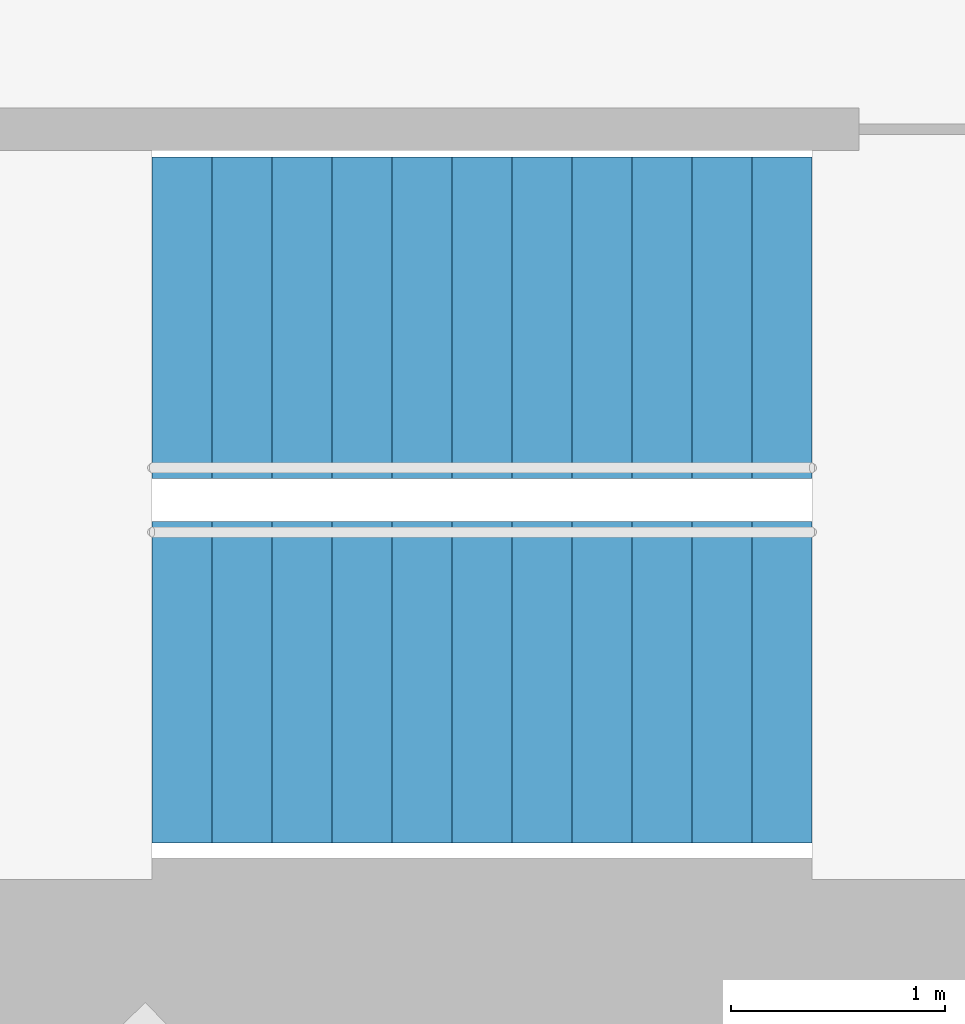
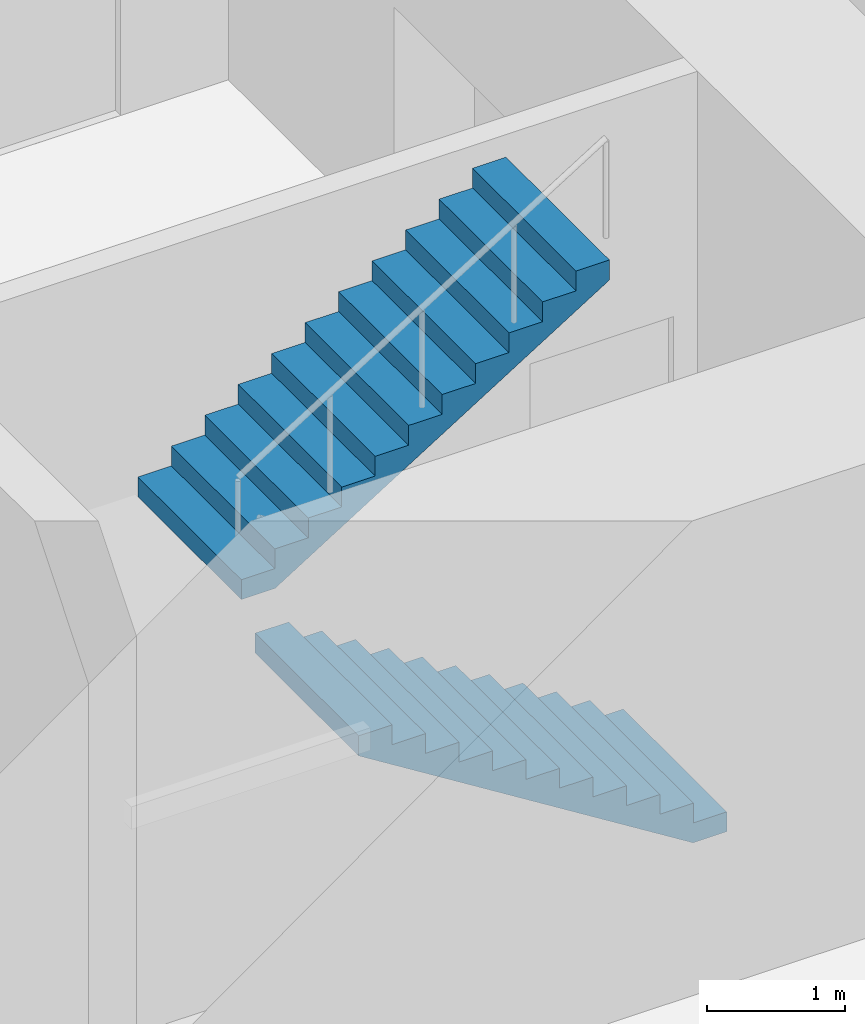
# One storey, part 17 of 18: 2 stair flights, 1 element without a shape of its own.
"""IFC4 building model written with IfcOpenShell, lengths in metres."""

from ifc_helpers import new_model, si_unit, direction, frame, origin, place, context, subcontext, project, spatial, triangles, material, type_object, element, aggregate, save


model = new_model("IFC4")

# Units and contexts
model_context = context("Model", 3, precision=1e-05, world=origin(), true_north=direction((0.0, 1.0)))
body_context = subcontext(model_context, "Body", "Model", "MODEL_VIEW")
ifc_project = project(units=[si_unit("LENGTHUNIT", "METRE"), si_unit("AREAUNIT", "SQUARE_METRE"), si_unit("VOLUMEUNIT", "CUBIC_METRE"), si_unit("PLANEANGLEUNIT", "RADIAN"), si_unit("MASSUNIT", "GRAM", prefix="KILO")], contexts=[model_context])

# Site, building, storey
site_placement = place(None, origin())
site = spatial("IfcSite", under=ifc_project, at=site_placement, CompositionType="ELEMENT")
building_placement = place(site_placement, origin())
building = spatial("IfcBuilding", under=site, at=building_placement, Name="Lantaw Convention Tower", CompositionType="ELEMENT")
storey_placement = place(building_placement, frame((0.0, 0.0, 134.199951171875)))
storey = spatial("IfcBuildingStorey", under=building, at=storey_placement, Name="L31", CompositionType="ELEMENT", Elevation=134.199951171875)

# Stair, stair flights
ifc_material = material(Name="Concrete C35/45", Category="concrete")
stair_type = type_object("IfcStairType", Name="Exit stair 1500 riser 175 in 2 flights", PredefinedType="HALF_TURN_STAIR", material=ifc_material)
stair_placement = place(storey_placement, origin())
stair = element("IfcStair", 1, at=stair_placement, inside=storey, type_object=stair_type, Name="Exit stair S2 L31", PredefinedType="HALF_TURN_STAIR")
stair_flight_type = type_object("IfcStairFlightType", Name="Stair flight 1500 riser 175", PredefinedType="STRAIGHT", material=ifc_material)
stair_flight_1_placement = place(storey_placement, frame((10.580078125, -5.97998046875, 0.0), z_axis=(0.0, 0.0, 1.0), x_axis=(-1.0, 0.0, 0.0)))
stair_flight_1 = element("IfcStairFlight", 2, at=stair_flight_1_placement, type_object=stair_flight_type, Name="S2 flight 1", NumberOfRisers=12, NumberOfTreads=11, PredefinedType="STRAIGHT", RiserHeight=0.175, TreadLength=0.28, context=body_context, shape_type="Tessellation", body=[
    triangles([(0.0, 0.75, 0.0), (0.0, 0.75, 0.175), (0.28, 0.75, 0.0), (0.28, 0.75, 0.175), (0.28, 0.75, 0.35), (0.28283517651771284, 0.75, 0.0), (0.28283517651771284, 0.75, 0.35), (0.56, 0.75, 0.17322801467642948), (0.56, 0.75, 0.35), (0.56, 0.75, 0.5249999999999999), (0.8400000000000001, 0.75, 0.34822801467642944), (0.8400000000000001, 0.75, 0.5249999999999999), (0.8400000000000001, 0.75, 0.7), (1.12, 0.75, 0.5232280146764294), (1.12, 0.75, 0.7), (1.12, 0.75, 0.875), (1.4000000000000001, 0.75, 0.6982280146764295), (1.4000000000000001, 0.75, 0.875), (1.4000000000000001, 0.75, 1.0499999999999998), (1.6800000000000002, 0.75, 0.8732280146764294), (1.6800000000000002, 0.75, 1.0499999999999998), (1.6800000000000002, 0.75, 1.2249999999999999), (1.9600000000000002, 0.75, 1.0482280146764293), (1.9600000000000002, 0.75, 1.2249999999999999), (1.9600000000000002, 0.75, 1.4), (2.24, 0.75, 1.2232280146764294), (2.24, 0.75, 1.4), (2.24, 0.75, 1.575), (2.5200000000000005, 0.75, 1.3982280146764294), (2.5200000000000005, 0.75, 1.575), (2.5200000000000005, 0.75, 1.75), (2.8000000000000003, 0.75, 1.5732280146764293), (2.8000000000000003, 0.75, 1.75), (2.8000000000000003, 0.75, 1.9249999999999998), (3.08, 0.75, 1.7482280146764293), (3.08, 0.75, 1.9249999999999998), (0.0, -0.75, 0.0), (0.0, -0.75, 0.175), (0.28, -0.75, 0.0), (0.28, -0.75, 0.175), (0.28, -0.75, 0.35), (0.28283517651771284, -0.75, 0.0), (0.28283517651771284, -0.75, 0.35), (0.56, -0.75, 0.17322801467642948), (0.56, -0.75, 0.35), (0.56, -0.75, 0.5249999999999999), (0.8400000000000001, -0.75, 0.34822801467642944), (0.8400000000000001, -0.75, 0.5249999999999999), (0.8400000000000001, -0.75, 0.7), (1.12, -0.75, 0.5232280146764294), (1.12, -0.75, 0.7), (1.12, -0.75, 0.875), (1.4000000000000001, -0.75, 0.6982280146764295), (1.4000000000000001, -0.75, 0.875), (1.4000000000000001, -0.75, 1.0499999999999998), (1.6800000000000002, -0.75, 0.8732280146764294), (1.6800000000000002, -0.75, 1.0499999999999998), (1.6800000000000002, -0.75, 1.2249999999999999), (1.9600000000000002, -0.75, 1.0482280146764293), (1.9600000000000002, -0.75, 1.2249999999999999), (1.9600000000000002, -0.75, 1.4), (2.24, -0.75, 1.2232280146764294), (2.24, -0.75, 1.4), (2.24, -0.75, 1.575), (2.5200000000000005, -0.75, 1.3982280146764294), (2.5200000000000005, -0.75, 1.575), (2.5200000000000005, -0.75, 1.75), (2.8000000000000003, -0.75, 1.5732280146764293), (2.8000000000000003, -0.75, 1.75), (2.8000000000000003, -0.75, 1.9249999999999998), (3.08, -0.75, 1.7482280146764293), (3.08, -0.75, 1.9249999999999998), (0.0, 0.15000000000000002, 0.175), (0.0, 0.15000000000000002, 0.0), (0.0, 0.0, 0.175), (0.0, 0.0, 0.0), (0.0, -0.15000000000000002, 0.175), (0.0, -0.15000000000000002, 0.0), (0.28, 0.15000000000000002, 0.35), (0.28, 0.15000000000000002, 0.175), (0.28, 0.0, 0.35), (0.28, 0.0, 0.175), (0.28, -0.15000000000000002, 0.35), (0.28, -0.15000000000000002, 0.175), (0.56, 0.15000000000000002, 0.5249999999999999), (0.56, 0.15000000000000002, 0.35), (0.56, 0.0, 0.5249999999999999), (0.56, 0.0, 0.35), (0.56, -0.15000000000000002, 0.5249999999999999), (0.56, -0.15000000000000002, 0.35), (0.8400000000000001, 0.15000000000000002, 0.7), (0.8400000000000001, 0.15000000000000002, 0.5249999999999999), (0.8400000000000001, 0.0, 0.7), (0.8400000000000001, 0.0, 0.5249999999999999), (0.8400000000000001, -0.15000000000000002, 0.7), (0.8400000000000001, -0.15000000000000002, 0.5249999999999999), (1.12, 0.15000000000000002, 0.875), (1.12, 0.15000000000000002, 0.7), (1.12, 0.0, 0.875), (1.12, 0.0, 0.7), (1.12, -0.15000000000000002, 0.875), (1.12, -0.15000000000000002, 0.7), (1.4000000000000001, 0.15000000000000002, 1.0499999999999998), (1.4000000000000001, 0.15000000000000002, 0.875), (1.4000000000000001, 0.0, 1.0499999999999998), (1.4000000000000001, 0.0, 0.875), (1.4000000000000001, -0.15000000000000002, 1.0499999999999998), (1.4000000000000001, -0.15000000000000002, 0.875), (1.6800000000000002, 0.15000000000000002, 1.2249999999999999), (1.6800000000000002, 0.15000000000000002, 1.0499999999999998), (1.6800000000000002, 0.0, 1.2249999999999999), (1.6800000000000002, 0.0, 1.0499999999999998), (1.6800000000000002, -0.15000000000000002, 1.2249999999999999), (1.6800000000000002, -0.15000000000000002, 1.0499999999999998), (1.9600000000000002, 0.15000000000000002, 1.4), (1.9600000000000002, 0.15000000000000002, 1.2249999999999999), (1.9600000000000002, 0.0, 1.4), (1.9600000000000002, 0.0, 1.2249999999999999), (1.9600000000000002, -0.15000000000000002, 1.4), (1.9600000000000002, -0.15000000000000002, 1.2249999999999999), (2.24, 0.15000000000000002, 1.575), (2.24, 0.15000000000000002, 1.4), (2.24, 0.0, 1.575), (2.24, 0.0, 1.4), (2.24, -0.15000000000000002, 1.575), (2.24, -0.15000000000000002, 1.4), (2.5200000000000005, 0.15000000000000002, 1.75), (2.5200000000000005, 0.15000000000000002, 1.575), (2.5200000000000005, 0.0, 1.75), (2.5200000000000005, 0.0, 1.575), (2.5200000000000005, -0.15000000000000002, 1.75), (2.5200000000000005, -0.15000000000000002, 1.575), (2.8000000000000003, 0.15000000000000002, 1.9249999999999998), (2.8000000000000003, 0.15000000000000002, 1.75), (2.8000000000000003, 0.0, 1.9249999999999998), (2.8000000000000003, 0.0, 1.75), (2.8000000000000003, -0.15000000000000002, 1.9249999999999998), (2.8000000000000003, -0.15000000000000002, 1.75), (0.28283517651771284, 0.15000000000000002, 0.35), (0.28283517651771284, 0.0, 0.35), (0.28283517651771284, -0.15000000000000002, 0.35), (3.08, 0.15000000000000002, 1.9249999999999998), (3.08, 0.0, 1.9249999999999998), (3.08, -0.15000000000000002, 1.9249999999999998), (3.08, 0.15000000000000002, 1.7482280146764293), (3.08, 0.0, 1.7482280146764293), (3.08, -0.15000000000000002, 1.7482280146764293), (2.8000000000000003, 0.15000000000000002, 1.5732280146764293), (2.8000000000000003, 0.0, 1.5732280146764293), (2.8000000000000003, -0.15000000000000002, 1.5732280146764293), (2.5200000000000005, 0.15000000000000002, 1.3982280146764294), (2.5200000000000005, 0.0, 1.3982280146764294), (2.5200000000000005, -0.15000000000000002, 1.3982280146764294), (2.24, 0.15000000000000002, 1.2232280146764294), (2.24, 0.0, 1.2232280146764294), (2.24, -0.15000000000000002, 1.2232280146764294), (1.9600000000000002, 0.15000000000000002, 1.0482280146764293), (1.9600000000000002, 0.0, 1.0482280146764293), (1.9600000000000002, -0.15000000000000002, 1.0482280146764293), (1.6800000000000002, 0.15000000000000002, 0.8732280146764294), (1.6800000000000002, 0.0, 0.8732280146764294), (1.6800000000000002, -0.15000000000000002, 0.8732280146764294), (1.4000000000000001, 0.15000000000000002, 0.6982280146764295), (1.4000000000000001, 0.0, 0.6982280146764295), (1.4000000000000001, -0.15000000000000002, 0.6982280146764295), (1.12, 0.15000000000000002, 0.5232280146764294), (1.12, 0.0, 0.5232280146764294), (1.12, -0.15000000000000002, 0.5232280146764294), (0.8400000000000001, 0.15000000000000002, 0.34822801467642944), (0.8400000000000001, 0.0, 0.34822801467642944), (0.8400000000000001, -0.15000000000000002, 0.34822801467642944), (0.56, 0.15000000000000002, 0.17322801467642948), (0.56, 0.0, 0.17322801467642948), (0.56, -0.15000000000000002, 0.17322801467642948), (0.28283517651771284, 0.15000000000000002, 0.0), (0.28283517651771284, 0.0, 0.0), (0.28283517651771284, -0.15000000000000002, 0.0), (0.28, 0.15000000000000002, 0.0), (0.28, 0.0, 0.0), (0.28, -0.15000000000000002, 0.0)], [[1, 4, 3], [1, 2, 4], [3, 4, 6], [4, 7, 6], [4, 5, 7], [6, 9, 8], [6, 7, 9], [8, 9, 11], [9, 12, 11], [9, 10, 12], [11, 12, 14], [12, 15, 14], [12, 13, 15], [14, 15, 17], [15, 18, 17], [15, 16, 18], [17, 18, 20], [18, 21, 20], [18, 19, 21], [20, 21, 23], [21, 24, 23], [21, 22, 24], [23, 24, 26], [24, 27, 26], [24, 25, 27], [26, 27, 29], [27, 30, 29], [27, 28, 30], [29, 30, 32], [30, 33, 32], [30, 31, 33], [32, 33, 35], [33, 36, 35], [33, 34, 36], [37, 39, 40], [37, 40, 38], [39, 42, 40], [40, 42, 43], [40, 43, 41], [42, 44, 45], [42, 45, 43], [44, 47, 45], [45, 47, 48], [45, 48, 46], [47, 50, 48], [48, 50, 51], [48, 51, 49], [50, 53, 51], [51, 53, 54], [51, 54, 52], [53, 56, 54], [54, 56, 57], [54, 57, 55], [56, 59, 57], [57, 59, 60], [57, 60, 58], [59, 62, 60], [60, 62, 63], [60, 63, 61], [62, 65, 63], [63, 65, 66], [63, 66, 64], [65, 68, 66], [66, 68, 69], [66, 69, 67], [68, 71, 69], [69, 71, 72], [69, 72, 70], [1, 73, 2], [1, 74, 73], [74, 75, 73], [74, 76, 75], [76, 77, 75], [76, 78, 77], [78, 38, 77], [78, 37, 38], [4, 79, 5], [4, 80, 79], [80, 81, 79], [80, 82, 81], [82, 83, 81], [82, 84, 83], [84, 41, 83], [84, 40, 41], [9, 85, 10], [9, 86, 85], [86, 87, 85], [86, 88, 87], [88, 89, 87], [88, 90, 89], [90, 46, 89], [90, 45, 46], [12, 91, 13], [12, 92, 91], [92, 93, 91], [92, 94, 93], [94, 95, 93], [94, 96, 95], [96, 49, 95], [96, 48, 49], [15, 97, 16], [15, 98, 97], [98, 99, 97], [98, 100, 99], [100, 101, 99], [100, 102, 101], [102, 52, 101], [102, 51, 52], [18, 103, 19], [18, 104, 103], [104, 105, 103], [104, 106, 105], [106, 107, 105], [106, 108, 107], [108, 55, 107], [108, 54, 55], [21, 109, 22], [21, 110, 109], [110, 111, 109], [110, 112, 111], [112, 113, 111], [112, 114, 113], [114, 58, 113], [114, 57, 58], [24, 115, 25], [24, 116, 115], [116, 117, 115], [116, 118, 117], [118, 119, 117], [118, 120, 119], [120, 61, 119], [120, 60, 61], [27, 121, 28], [27, 122, 121], [122, 123, 121], [122, 124, 123], [124, 125, 123], [124, 126, 125], [126, 64, 125], [126, 63, 64], [30, 127, 31], [30, 128, 127], [128, 129, 127], [128, 130, 129], [130, 131, 129], [130, 132, 131], [132, 67, 131], [132, 66, 67], [33, 133, 34], [33, 134, 133], [134, 135, 133], [134, 136, 135], [136, 137, 135], [136, 138, 137], [138, 70, 137], [138, 69, 70], [2, 80, 4], [2, 73, 80], [73, 82, 80], [73, 75, 82], [75, 84, 82], [75, 77, 84], [77, 40, 84], [77, 38, 40], [5, 139, 7], [5, 79, 139], [79, 140, 139], [79, 81, 140], [81, 141, 140], [81, 83, 141], [83, 43, 141], [83, 41, 43], [7, 86, 9], [7, 139, 86], [139, 88, 86], [139, 140, 88], [140, 90, 88], [140, 141, 90], [141, 45, 90], [141, 43, 45], [10, 92, 12], [10, 85, 92], [85, 94, 92], [85, 87, 94], [87, 96, 94], [87, 89, 96], [89, 48, 96], [89, 46, 48], [13, 98, 15], [13, 91, 98], [91, 100, 98], [91, 93, 100], [93, 102, 100], [93, 95, 102], [95, 51, 102], [95, 49, 51], [16, 104, 18], [16, 97, 104], [97, 106, 104], [97, 99, 106], [99, 108, 106], [99, 101, 108], [101, 54, 108], [101, 52, 54], [19, 110, 21], [19, 103, 110], [103, 112, 110], [103, 105, 112], [105, 114, 112], [105, 107, 114], [107, 57, 114], [107, 55, 57], [22, 116, 24], [22, 109, 116], [109, 118, 116], [109, 111, 118], [111, 120, 118], [111, 113, 120], [113, 60, 120], [113, 58, 60], [25, 122, 27], [25, 115, 122], [115, 124, 122], [115, 117, 124], [117, 126, 124], [117, 119, 126], [119, 63, 126], [119, 61, 63], [28, 128, 30], [28, 121, 128], [121, 130, 128], [121, 123, 130], [123, 132, 130], [123, 125, 132], [125, 66, 132], [125, 64, 66], [31, 134, 33], [31, 127, 134], [127, 136, 134], [127, 129, 136], [129, 138, 136], [129, 131, 138], [131, 69, 138], [131, 67, 69], [34, 142, 36], [34, 133, 142], [133, 143, 142], [133, 135, 143], [135, 144, 143], [135, 137, 144], [137, 72, 144], [137, 70, 72], [36, 145, 35], [36, 142, 145], [142, 146, 145], [142, 143, 146], [143, 147, 146], [143, 144, 147], [144, 71, 147], [144, 72, 71], [35, 148, 32], [35, 145, 148], [145, 149, 148], [145, 146, 149], [146, 150, 149], [146, 147, 150], [147, 68, 150], [147, 71, 68], [32, 151, 29], [32, 148, 151], [148, 152, 151], [148, 149, 152], [149, 153, 152], [149, 150, 153], [150, 65, 153], [150, 68, 65], [29, 154, 26], [29, 151, 154], [151, 155, 154], [151, 152, 155], [152, 156, 155], [152, 153, 156], [153, 62, 156], [153, 65, 62], [26, 157, 23], [26, 154, 157], [154, 158, 157], [154, 155, 158], [155, 159, 158], [155, 156, 159], [156, 59, 159], [156, 62, 59], [23, 160, 20], [23, 157, 160], [157, 161, 160], [157, 158, 161], [158, 162, 161], [158, 159, 162], [159, 56, 162], [159, 59, 56], [20, 163, 17], [20, 160, 163], [160, 164, 163], [160, 161, 164], [161, 165, 164], [161, 162, 165], [162, 53, 165], [162, 56, 53], [17, 166, 14], [17, 163, 166], [163, 167, 166], [163, 164, 167], [164, 168, 167], [164, 165, 168], [165, 50, 168], [165, 53, 50], [14, 169, 11], [14, 166, 169], [166, 170, 169], [166, 167, 170], [167, 171, 170], [167, 168, 171], [168, 47, 171], [168, 50, 47], [11, 172, 8], [11, 169, 172], [169, 173, 172], [169, 170, 173], [170, 174, 173], [170, 171, 174], [171, 44, 174], [171, 47, 44], [8, 175, 6], [8, 172, 175], [172, 176, 175], [172, 173, 176], [173, 177, 176], [173, 174, 177], [174, 42, 177], [174, 44, 42], [6, 178, 3], [6, 175, 178], [175, 179, 178], [175, 176, 179], [176, 180, 179], [176, 177, 180], [177, 39, 180], [177, 42, 39], [3, 74, 1], [3, 178, 74], [178, 76, 74], [178, 179, 76], [179, 78, 76], [179, 180, 78], [180, 37, 78], [180, 39, 37]], closed=True),
])
stair_flight_2_placement = place(storey_placement, frame((7.5, -4.280029296875, 2.10009765625), z_axis=(0.0, 0.0, 1.0), x_axis=(1.0, 0.0, 0.0)))
stair_flight_2 = element("IfcStairFlight", 3, at=stair_flight_2_placement, type_object=stair_flight_type, Name="S2 flight 2", NumberOfRisers=12, NumberOfTreads=11, PredefinedType="STRAIGHT", RiserHeight=0.175, TreadLength=0.28, context=body_context, shape_type="Tessellation", body=[
    triangles([(0.0, 0.75, 0.0), (0.0, 0.75, 0.175), (0.28, 0.75, 0.0), (0.28, 0.75, 0.175), (0.28, 0.75, 0.35), (0.28283517651771284, 0.75, 0.0), (0.28283517651771284, 0.75, 0.35), (0.56, 0.75, 0.17322801467642948), (0.56, 0.75, 0.35), (0.56, 0.75, 0.5249999999999999), (0.8400000000000001, 0.75, 0.34822801467642944), (0.8400000000000001, 0.75, 0.5249999999999999), (0.8400000000000001, 0.75, 0.7), (1.12, 0.75, 0.5232280146764294), (1.12, 0.75, 0.7), (1.12, 0.75, 0.875), (1.4000000000000001, 0.75, 0.6982280146764295), (1.4000000000000001, 0.75, 0.875), (1.4000000000000001, 0.75, 1.0499999999999998), (1.6800000000000002, 0.75, 0.8732280146764294), (1.6800000000000002, 0.75, 1.0499999999999998), (1.6800000000000002, 0.75, 1.2249999999999999), (1.9600000000000002, 0.75, 1.0482280146764293), (1.9600000000000002, 0.75, 1.2249999999999999), (1.9600000000000002, 0.75, 1.4), (2.24, 0.75, 1.2232280146764294), (2.24, 0.75, 1.4), (2.24, 0.75, 1.575), (2.5200000000000005, 0.75, 1.3982280146764294), (2.5200000000000005, 0.75, 1.575), (2.5200000000000005, 0.75, 1.75), (2.8000000000000003, 0.75, 1.5732280146764293), (2.8000000000000003, 0.75, 1.75), (2.8000000000000003, 0.75, 1.9249999999999998), (3.08, 0.75, 1.7482280146764293), (3.08, 0.75, 1.9249999999999998), (0.0, -0.75, 0.0), (0.0, -0.75, 0.175), (0.28, -0.75, 0.0), (0.28, -0.75, 0.175), (0.28, -0.75, 0.35), (0.28283517651771284, -0.75, 0.0), (0.28283517651771284, -0.75, 0.35), (0.56, -0.75, 0.17322801467642948), (0.56, -0.75, 0.35), (0.56, -0.75, 0.5249999999999999), (0.8400000000000001, -0.75, 0.34822801467642944), (0.8400000000000001, -0.75, 0.5249999999999999), (0.8400000000000001, -0.75, 0.7), (1.12, -0.75, 0.5232280146764294), (1.12, -0.75, 0.7), (1.12, -0.75, 0.875), (1.4000000000000001, -0.75, 0.6982280146764295), (1.4000000000000001, -0.75, 0.875), (1.4000000000000001, -0.75, 1.0499999999999998), (1.6800000000000002, -0.75, 0.8732280146764294), (1.6800000000000002, -0.75, 1.0499999999999998), (1.6800000000000002, -0.75, 1.2249999999999999), (1.9600000000000002, -0.75, 1.0482280146764293), (1.9600000000000002, -0.75, 1.2249999999999999), (1.9600000000000002, -0.75, 1.4), (2.24, -0.75, 1.2232280146764294), (2.24, -0.75, 1.4), (2.24, -0.75, 1.575), (2.5200000000000005, -0.75, 1.3982280146764294), (2.5200000000000005, -0.75, 1.575), (2.5200000000000005, -0.75, 1.75), (2.8000000000000003, -0.75, 1.5732280146764293), (2.8000000000000003, -0.75, 1.75), (2.8000000000000003, -0.75, 1.9249999999999998), (3.08, -0.75, 1.7482280146764293), (3.08, -0.75, 1.9249999999999998), (0.0, 0.15000000000000002, 0.175), (0.0, 0.15000000000000002, 0.0), (0.0, 0.0, 0.175), (0.0, 0.0, 0.0), (0.0, -0.15000000000000002, 0.175), (0.0, -0.15000000000000002, 0.0), (0.28, 0.15000000000000002, 0.35), (0.28, 0.15000000000000002, 0.175), (0.28, 0.0, 0.35), (0.28, 0.0, 0.175), (0.28, -0.15000000000000002, 0.35), (0.28, -0.15000000000000002, 0.175), (0.56, 0.15000000000000002, 0.5249999999999999), (0.56, 0.15000000000000002, 0.35), (0.56, 0.0, 0.5249999999999999), (0.56, 0.0, 0.35), (0.56, -0.15000000000000002, 0.5249999999999999), (0.56, -0.15000000000000002, 0.35), (0.8400000000000001, 0.15000000000000002, 0.7), (0.8400000000000001, 0.15000000000000002, 0.5249999999999999), (0.8400000000000001, 0.0, 0.7), (0.8400000000000001, 0.0, 0.5249999999999999), (0.8400000000000001, -0.15000000000000002, 0.7), (0.8400000000000001, -0.15000000000000002, 0.5249999999999999), (1.12, 0.15000000000000002, 0.875), (1.12, 0.15000000000000002, 0.7), (1.12, 0.0, 0.875), (1.12, 0.0, 0.7), (1.12, -0.15000000000000002, 0.875), (1.12, -0.15000000000000002, 0.7), (1.4000000000000001, 0.15000000000000002, 1.0499999999999998), (1.4000000000000001, 0.15000000000000002, 0.875), (1.4000000000000001, 0.0, 1.0499999999999998), (1.4000000000000001, 0.0, 0.875), (1.4000000000000001, -0.15000000000000002, 1.0499999999999998), (1.4000000000000001, -0.15000000000000002, 0.875), (1.6800000000000002, 0.15000000000000002, 1.2249999999999999), (1.6800000000000002, 0.15000000000000002, 1.0499999999999998), (1.6800000000000002, 0.0, 1.2249999999999999), (1.6800000000000002, 0.0, 1.0499999999999998), (1.6800000000000002, -0.15000000000000002, 1.2249999999999999), (1.6800000000000002, -0.15000000000000002, 1.0499999999999998), (1.9600000000000002, 0.15000000000000002, 1.4), (1.9600000000000002, 0.15000000000000002, 1.2249999999999999), (1.9600000000000002, 0.0, 1.4), (1.9600000000000002, 0.0, 1.2249999999999999), (1.9600000000000002, -0.15000000000000002, 1.4), (1.9600000000000002, -0.15000000000000002, 1.2249999999999999), (2.24, 0.15000000000000002, 1.575), (2.24, 0.15000000000000002, 1.4), (2.24, 0.0, 1.575), (2.24, 0.0, 1.4), (2.24, -0.15000000000000002, 1.575), (2.24, -0.15000000000000002, 1.4), (2.5200000000000005, 0.15000000000000002, 1.75), (2.5200000000000005, 0.15000000000000002, 1.575), (2.5200000000000005, 0.0, 1.75), (2.5200000000000005, 0.0, 1.575), (2.5200000000000005, -0.15000000000000002, 1.75), (2.5200000000000005, -0.15000000000000002, 1.575), (2.8000000000000003, 0.15000000000000002, 1.9249999999999998), (2.8000000000000003, 0.15000000000000002, 1.75), (2.8000000000000003, 0.0, 1.9249999999999998), (2.8000000000000003, 0.0, 1.75), (2.8000000000000003, -0.15000000000000002, 1.9249999999999998), (2.8000000000000003, -0.15000000000000002, 1.75), (0.28283517651771284, 0.15000000000000002, 0.35), (0.28283517651771284, 0.0, 0.35), (0.28283517651771284, -0.15000000000000002, 0.35), (3.08, 0.15000000000000002, 1.9249999999999998), (3.08, 0.0, 1.9249999999999998), (3.08, -0.15000000000000002, 1.9249999999999998), (3.08, 0.15000000000000002, 1.7482280146764293), (3.08, 0.0, 1.7482280146764293), (3.08, -0.15000000000000002, 1.7482280146764293), (2.8000000000000003, 0.15000000000000002, 1.5732280146764293), (2.8000000000000003, 0.0, 1.5732280146764293), (2.8000000000000003, -0.15000000000000002, 1.5732280146764293), (2.5200000000000005, 0.15000000000000002, 1.3982280146764294), (2.5200000000000005, 0.0, 1.3982280146764294), (2.5200000000000005, -0.15000000000000002, 1.3982280146764294), (2.24, 0.15000000000000002, 1.2232280146764294), (2.24, 0.0, 1.2232280146764294), (2.24, -0.15000000000000002, 1.2232280146764294), (1.9600000000000002, 0.15000000000000002, 1.0482280146764293), (1.9600000000000002, 0.0, 1.0482280146764293), (1.9600000000000002, -0.15000000000000002, 1.0482280146764293), (1.6800000000000002, 0.15000000000000002, 0.8732280146764294), (1.6800000000000002, 0.0, 0.8732280146764294), (1.6800000000000002, -0.15000000000000002, 0.8732280146764294), (1.4000000000000001, 0.15000000000000002, 0.6982280146764295), (1.4000000000000001, 0.0, 0.6982280146764295), (1.4000000000000001, -0.15000000000000002, 0.6982280146764295), (1.12, 0.15000000000000002, 0.5232280146764294), (1.12, 0.0, 0.5232280146764294), (1.12, -0.15000000000000002, 0.5232280146764294), (0.8400000000000001, 0.15000000000000002, 0.34822801467642944), (0.8400000000000001, 0.0, 0.34822801467642944), (0.8400000000000001, -0.15000000000000002, 0.34822801467642944), (0.56, 0.15000000000000002, 0.17322801467642948), (0.56, 0.0, 0.17322801467642948), (0.56, -0.15000000000000002, 0.17322801467642948), (0.28283517651771284, 0.15000000000000002, 0.0), (0.28283517651771284, 0.0, 0.0), (0.28283517651771284, -0.15000000000000002, 0.0), (0.28, 0.15000000000000002, 0.0), (0.28, 0.0, 0.0), (0.28, -0.15000000000000002, 0.0)], [[1, 4, 3], [1, 2, 4], [3, 4, 6], [4, 7, 6], [4, 5, 7], [6, 9, 8], [6, 7, 9], [8, 9, 11], [9, 12, 11], [9, 10, 12], [11, 12, 14], [12, 15, 14], [12, 13, 15], [14, 15, 17], [15, 18, 17], [15, 16, 18], [17, 18, 20], [18, 21, 20], [18, 19, 21], [20, 21, 23], [21, 24, 23], [21, 22, 24], [23, 24, 26], [24, 27, 26], [24, 25, 27], [26, 27, 29], [27, 30, 29], [27, 28, 30], [29, 30, 32], [30, 33, 32], [30, 31, 33], [32, 33, 35], [33, 36, 35], [33, 34, 36], [37, 39, 40], [37, 40, 38], [39, 42, 40], [40, 42, 43], [40, 43, 41], [42, 44, 45], [42, 45, 43], [44, 47, 45], [45, 47, 48], [45, 48, 46], [47, 50, 48], [48, 50, 51], [48, 51, 49], [50, 53, 51], [51, 53, 54], [51, 54, 52], [53, 56, 54], [54, 56, 57], [54, 57, 55], [56, 59, 57], [57, 59, 60], [57, 60, 58], [59, 62, 60], [60, 62, 63], [60, 63, 61], [62, 65, 63], [63, 65, 66], [63, 66, 64], [65, 68, 66], [66, 68, 69], [66, 69, 67], [68, 71, 69], [69, 71, 72], [69, 72, 70], [1, 73, 2], [1, 74, 73], [74, 75, 73], [74, 76, 75], [76, 77, 75], [76, 78, 77], [78, 38, 77], [78, 37, 38], [4, 79, 5], [4, 80, 79], [80, 81, 79], [80, 82, 81], [82, 83, 81], [82, 84, 83], [84, 41, 83], [84, 40, 41], [9, 85, 10], [9, 86, 85], [86, 87, 85], [86, 88, 87], [88, 89, 87], [88, 90, 89], [90, 46, 89], [90, 45, 46], [12, 91, 13], [12, 92, 91], [92, 93, 91], [92, 94, 93], [94, 95, 93], [94, 96, 95], [96, 49, 95], [96, 48, 49], [15, 97, 16], [15, 98, 97], [98, 99, 97], [98, 100, 99], [100, 101, 99], [100, 102, 101], [102, 52, 101], [102, 51, 52], [18, 103, 19], [18, 104, 103], [104, 105, 103], [104, 106, 105], [106, 107, 105], [106, 108, 107], [108, 55, 107], [108, 54, 55], [21, 109, 22], [21, 110, 109], [110, 111, 109], [110, 112, 111], [112, 113, 111], [112, 114, 113], [114, 58, 113], [114, 57, 58], [24, 115, 25], [24, 116, 115], [116, 117, 115], [116, 118, 117], [118, 119, 117], [118, 120, 119], [120, 61, 119], [120, 60, 61], [27, 121, 28], [27, 122, 121], [122, 123, 121], [122, 124, 123], [124, 125, 123], [124, 126, 125], [126, 64, 125], [126, 63, 64], [30, 127, 31], [30, 128, 127], [128, 129, 127], [128, 130, 129], [130, 131, 129], [130, 132, 131], [132, 67, 131], [132, 66, 67], [33, 133, 34], [33, 134, 133], [134, 135, 133], [134, 136, 135], [136, 137, 135], [136, 138, 137], [138, 70, 137], [138, 69, 70], [2, 80, 4], [2, 73, 80], [73, 82, 80], [73, 75, 82], [75, 84, 82], [75, 77, 84], [77, 40, 84], [77, 38, 40], [5, 139, 7], [5, 79, 139], [79, 140, 139], [79, 81, 140], [81, 141, 140], [81, 83, 141], [83, 43, 141], [83, 41, 43], [7, 86, 9], [7, 139, 86], [139, 88, 86], [139, 140, 88], [140, 90, 88], [140, 141, 90], [141, 45, 90], [141, 43, 45], [10, 92, 12], [10, 85, 92], [85, 94, 92], [85, 87, 94], [87, 96, 94], [87, 89, 96], [89, 48, 96], [89, 46, 48], [13, 98, 15], [13, 91, 98], [91, 100, 98], [91, 93, 100], [93, 102, 100], [93, 95, 102], [95, 51, 102], [95, 49, 51], [16, 104, 18], [16, 97, 104], [97, 106, 104], [97, 99, 106], [99, 108, 106], [99, 101, 108], [101, 54, 108], [101, 52, 54], [19, 110, 21], [19, 103, 110], [103, 112, 110], [103, 105, 112], [105, 114, 112], [105, 107, 114], [107, 57, 114], [107, 55, 57], [22, 116, 24], [22, 109, 116], [109, 118, 116], [109, 111, 118], [111, 120, 118], [111, 113, 120], [113, 60, 120], [113, 58, 60], [25, 122, 27], [25, 115, 122], [115, 124, 122], [115, 117, 124], [117, 126, 124], [117, 119, 126], [119, 63, 126], [119, 61, 63], [28, 128, 30], [28, 121, 128], [121, 130, 128], [121, 123, 130], [123, 132, 130], [123, 125, 132], [125, 66, 132], [125, 64, 66], [31, 134, 33], [31, 127, 134], [127, 136, 134], [127, 129, 136], [129, 138, 136], [129, 131, 138], [131, 69, 138], [131, 67, 69], [34, 142, 36], [34, 133, 142], [133, 143, 142], [133, 135, 143], [135, 144, 143], [135, 137, 144], [137, 72, 144], [137, 70, 72], [36, 145, 35], [36, 142, 145], [142, 146, 145], [142, 143, 146], [143, 147, 146], [143, 144, 147], [144, 71, 147], [144, 72, 71], [35, 148, 32], [35, 145, 148], [145, 149, 148], [145, 146, 149], [146, 150, 149], [146, 147, 150], [147, 68, 150], [147, 71, 68], [32, 151, 29], [32, 148, 151], [148, 152, 151], [148, 149, 152], [149, 153, 152], [149, 150, 153], [150, 65, 153], [150, 68, 65], [29, 154, 26], [29, 151, 154], [151, 155, 154], [151, 152, 155], [152, 156, 155], [152, 153, 156], [153, 62, 156], [153, 65, 62], [26, 157, 23], [26, 154, 157], [154, 158, 157], [154, 155, 158], [155, 159, 158], [155, 156, 159], [156, 59, 159], [156, 62, 59], [23, 160, 20], [23, 157, 160], [157, 161, 160], [157, 158, 161], [158, 162, 161], [158, 159, 162], [159, 56, 162], [159, 59, 56], [20, 163, 17], [20, 160, 163], [160, 164, 163], [160, 161, 164], [161, 165, 164], [161, 162, 165], [162, 53, 165], [162, 56, 53], [17, 166, 14], [17, 163, 166], [163, 167, 166], [163, 164, 167], [164, 168, 167], [164, 165, 168], [165, 50, 168], [165, 53, 50], [14, 169, 11], [14, 166, 169], [166, 170, 169], [166, 167, 170], [167, 171, 170], [167, 168, 171], [168, 47, 171], [168, 50, 47], [11, 172, 8], [11, 169, 172], [169, 173, 172], [169, 170, 173], [170, 174, 173], [170, 171, 174], [171, 44, 174], [171, 47, 44], [8, 175, 6], [8, 172, 175], [172, 176, 175], [172, 173, 176], [173, 177, 176], [173, 174, 177], [174, 42, 177], [174, 44, 42], [6, 178, 3], [6, 175, 178], [175, 179, 178], [175, 176, 179], [176, 180, 179], [176, 177, 180], [177, 39, 180], [177, 42, 39], [3, 74, 1], [3, 178, 74], [178, 76, 74], [178, 179, 76], [179, 78, 76], [179, 180, 78], [180, 37, 78], [180, 39, 37]], closed=True),
])
aggregate(stair, [stair_flight_1, stair_flight_2])

save(model, "model.ifc")
